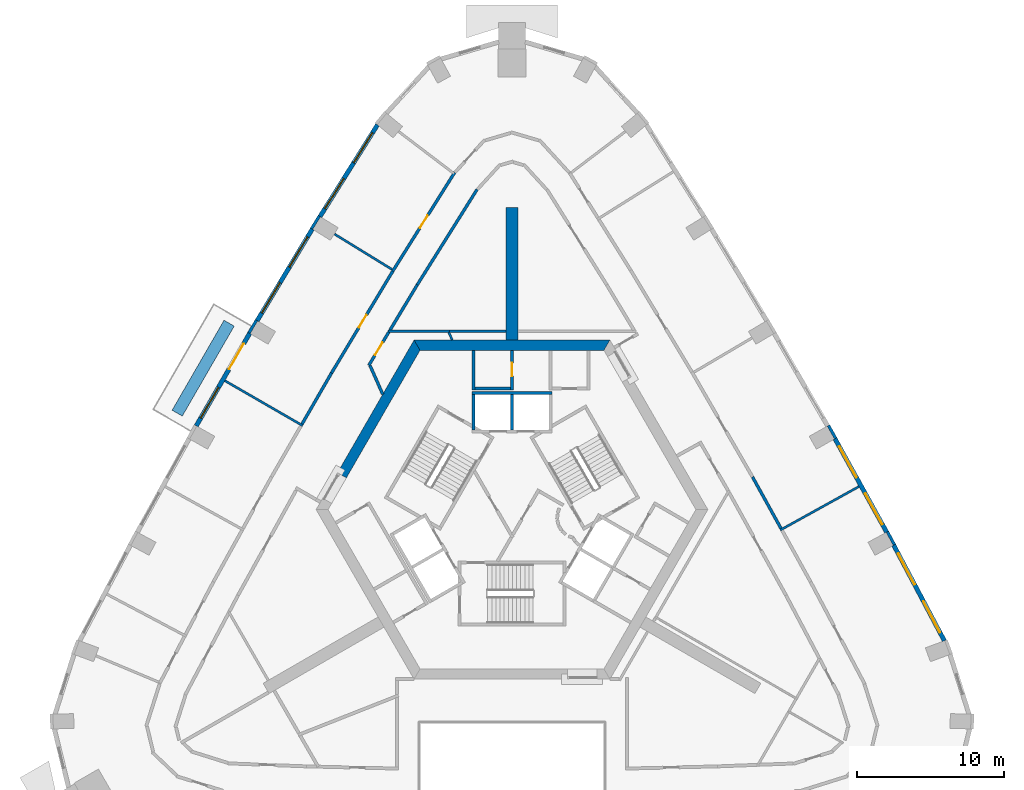
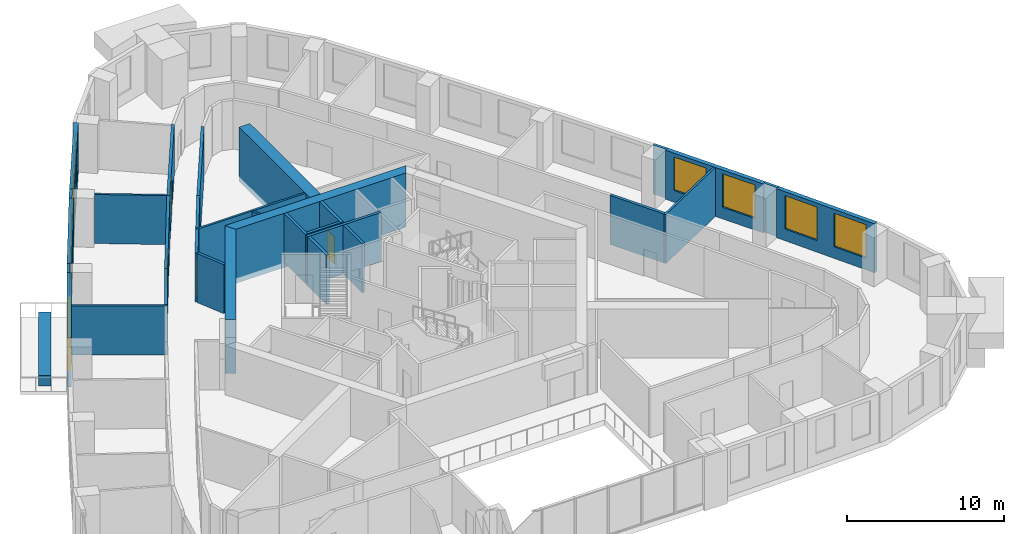
# One storey, part 8 of 13: 33 walls, 9 windows, 5 doors, 14 openings.
"""IFC4 building model written with IfcOpenShell, lengths in metres."""

from ifc_helpers import new_model, si_unit, direction, frame, frame_2d, origin, place, context, subcontext, project, spatial, polyline, rectangle, outline, extrude, material, layer, layer_set, type_object, element, fill, save


model = new_model("IFC4")

# Units and contexts
model_context = context("Model", 3, precision=1e-05, world=origin(), true_north=direction((0.0, 1.0)))
body_context = subcontext(model_context, "Body", "Model", "MODEL_VIEW")
ifc_project = project(units=[si_unit("LENGTHUNIT", "METRE"), si_unit("AREAUNIT", "SQUARE_METRE"), si_unit("VOLUMEUNIT", "CUBIC_METRE"), si_unit("PLANEANGLEUNIT", "RADIAN"), si_unit("MASSUNIT", "GRAM", prefix="KILO")], contexts=[model_context])

# Site, building, storey
site_placement = place(None, origin())
site = spatial("IfcSite", under=ifc_project, at=site_placement, CompositionType="ELEMENT")
building_placement = place(site_placement, origin())
building = spatial("IfcBuilding", under=site, at=building_placement, Name="Entoto Arch Interchange Tower", CompositionType="ELEMENT")
storey_placement = place(building_placement, frame((0.0, 0.0, 223.39990234375)))
storey = spatial("IfcBuildingStorey", under=building, at=storey_placement, Name="L50", CompositionType="ELEMENT", Elevation=223.39990234375)

# Walls
ifc_material_1 = material(Name="Concrete C50/60", Category="concrete")
ifc_layer_1 = layer(ifc_material_1, 0.800048828125)
ifc_layer_set_1 = layer_set([ifc_layer_1], Name="Concrete C50/60")
wall_type_1 = type_object("IfcWallType", Name="Buttress wall 800 C50/60", PredefinedType="SHEAR", material=ifc_layer_set_1)
wall_1_placement = place(storey_placement, frame((0.0, 14.0, -0.39990234375), z_axis=(0.0, 0.0, 1.0), x_axis=(0.0, 1.0, 0.0)))
element("IfcWall", 1, at=wall_1_placement, inside=storey, type_object=wall_type_1, Name="Buttress wall N L50", PredefinedType="SHEAR", context=body_context, shape_type="SweptSolid", body=[
    extrude(rectangle(XDim=9.0, YDim=0.800048828125, at=frame_2d((4.5, 0.0))), origin(), (0.0, 0.0, 1.0), 4.199951171875),
])
ifc_layer_2 = layer(ifc_material_1, 0.699951171875)
ifc_layer_set_2 = layer_set([ifc_layer_2], Name="Concrete C50/60")
wall_type_2 = type_object("IfcWallType", Name="Core wall 700 C50/60", PredefinedType="SHEAR", material=ifc_layer_set_2)
wall_2_placement = place(storey_placement, frame((0.0, 0.0, -0.39990234375)))
element("IfcWall", 2, at=wall_2_placement, inside=storey, type_object=wall_type_2, Name="Core wall N L50", PredefinedType="SHEAR", context=body_context, shape_type="SweptSolid", body=[
    extrude(outline(polyline([(6.639892578125, 14.0), (-6.639892578125, 14.0), (-6.235107421875, 13.300048828125), (6.235107421875, 13.300048828125), (6.639892578125, 14.0)])), origin(), (0.0, 0.0, 1.0), 4.199951171875),
])
wall_3_placement = place(storey_placement, frame((0.0, 0.0, -0.39990234375)))
element("IfcWall", 3, at=wall_3_placement, inside=storey, type_object=wall_type_2, Name="Core wall NW L50", PredefinedType="SHEAR", context=body_context, shape_type="SweptSolid", body=[
    extrude(outline(polyline([(-11.833984375, 5.001953125), (-11.22802734375, 4.652099609375), (-6.235107421875, 13.300048828125), (-6.639892578125, 14.0), (-11.833984375, 5.001953125)])), origin(), (0.0, 0.0, 1.0), 4.199951171875),
])
ifc_material_2 = material(Name="Concrete C40/50", Category="concrete")
ifc_layer_3 = layer(ifc_material_2, 0.199951171875)
ifc_layer_set_3 = layer_set([ifc_layer_3], Name="Concrete C40/50")
wall_type_3 = type_object("IfcWallType", Name="LIFT SHAFT WALL 200", PredefinedType="STANDARD", material=ifc_layer_set_3)
wall_4_placement = place(storey_placement, frame((2.699951171875, 10.39990234375, 0.0), z_axis=(0.0, 0.0, 1.0), x_axis=(-1.0, 0.0, 0.0)))
element("IfcWall", 4, at=wall_4_placement, inside=storey, type_object=wall_type_3, Name="Shaft wall N1 back", PredefinedType="STANDARD", context=body_context, shape_type="SweptSolid", body=[
    extrude(rectangle(XDim=5.39990234375, YDim=0.199951171875, at=frame_2d((2.699951171875, 0.0))), origin(), (0.0, 0.0, 1.0), 3.800048828125),
])
for number, where, z_axis, x_axis, name in (
    (5, (0.0, 7.89990234375, 0.0), (0.0, 0.0, 1.0), (0.0, 1.0, 0.0), "Shaft wall N1 cross 2"),
    (6, (-2.60009765625, 7.89990234375, 0.0), (0.0, 0.0, 1.0), (0.0, 1.0, 0.0), "Shaft wall N1 cross 3"),
):
    element("IfcWall", number, at=place(storey_placement, frame(where, z_axis=z_axis, x_axis=x_axis)), inside=storey, type_object=wall_type_3, Name=name, PredefinedType="STANDARD", context=body_context, shape_type="SweptSolid", body=[
        extrude(rectangle(XDim=2.400146484375, YDim=0.199951171875, at=frame_2d((1.2001953125, 0.0))), origin(), (0.0, 0.0, 1.0), 3.800048828125),
    ])
ifc_material_3 = material(Name="Gypsum board partition on steel studs", Category="steel")
ifc_layer_4 = layer(ifc_material_3, 0.14990234375)
ifc_layer_set_4 = layer_set([ifc_layer_4], Name="Gypsum board partition on steel studs")
wall_type_4 = type_object("IfcWallType", Name="PARTITION 150", PredefinedType="PARTITIONING", material=ifc_layer_set_4)
wall_5_placement = place(storey_placement, frame((-4.054931640625, 14.0, 0.0), z_axis=(0.0, 0.0, 1.0), x_axis=(-0.404850841056, 0.914382740703, 0.0)))
element("IfcWall", 7, at=wall_5_placement, inside=storey, type_object=wall_type_4, Name="wall:L50:p083", PredefinedType="PARTITIONING", context=body_context, shape_type="SweptSolid", body=[
    extrude(rectangle(XDim=0.580810546875, YDim=0.14990234375, at=frame_2d((0.29052734375, 0.0))), origin(), (0.0, 0.0, 1.0), 3.800048828125),
])
wall_6_placement = place(storey_placement, frame((-4.2451171875, 14.60009765625, 0.0), z_axis=(0.0, 0.0, 1.0), x_axis=(-1.0, 0.0, 0.0)))
element("IfcWall", 8, at=wall_6_placement, inside=storey, type_object=wall_type_4, Name="wall:L50:p085", PredefinedType="PARTITIONING", context=body_context, shape_type="SweptSolid", body=[
    extrude(rectangle(XDim=4.169921875, YDim=0.14990234375, at=frame_2d((2.0849609375, 0.0))), origin(), (0.0, 0.0, 1.0), 3.800048828125),
])
wall_7_placement = place(storey_placement, frame((18.18896484375, 1.111083984375, 0.0), z_axis=(0.0, 0.0, 1.0), x_axis=(0.874928335558, 0.484252421405, 0.0)))
element("IfcWall", 9, at=wall_7_placement, inside=storey, type_object=wall_type_4, Name="wall:L50:p119", PredefinedType="PARTITIONING", context=body_context, shape_type="SweptSolid", body=[
    extrude(rectangle(XDim=6.099853515625, YDim=0.14990234375, at=frame_2d((3.0498046875, 0.0))), origin(), (0.0, 0.0, 1.0), 3.800048828125),
])
wall_8_placement = place(storey_placement, frame((-8.131103515625, 18.783935546875, 0.0), z_axis=(0.0, 0.0, 1.0), x_axis=(-0.851969320918, 0.52359170755, 0.0)))
element("IfcWall", 10, at=wall_8_placement, inside=storey, type_object=wall_type_4, Name="wall:L50:p124", PredefinedType="PARTITIONING", context=body_context, shape_type="SweptSolid", body=[
    extrude(rectangle(XDim=4.579833984375, YDim=0.14990234375, at=frame_2d((2.2900390625, 0.0))), origin(), (0.0, 0.0, 1.0), 3.800048828125),
])
wall_9_placement = place(storey_placement, frame((-14.18701171875, 8.18994140625, 0.0), z_axis=(0.0, 0.0, 1.0), x_axis=(-0.865990270311, 0.500060848024, 0.0)))
element("IfcWall", 11, at=wall_9_placement, inside=storey, type_object=wall_type_4, Name="wall:L50:p125", PredefinedType="PARTITIONING", context=body_context, shape_type="SweptSolid", body=[
    extrude(rectangle(XDim=6.099365234375, YDim=0.14990234375, at=frame_2d((3.0498046875, 0.0))), origin(), (0.0, 0.0, 1.0), 3.800048828125),
])
wall_10_placement = place(storey_placement, frame((-0.39990234375, 14.60009765625, 0.0), z_axis=(0.0, 0.0, 1.0), x_axis=(-1.0, 0.0, 0.0)))
element("IfcWall", 12, at=wall_10_placement, inside=storey, type_object=wall_type_4, Name="wall:L50:p084", PredefinedType="PARTITIONING", context=body_context, shape_type="SweptSolid", body=[
    extrude(rectangle(XDim=3.84521484375, YDim=0.14990234375, at=frame_2d((1.922607421875, 0.0))), origin(), (0.0, 0.0, 1.0), 3.800048828125),
])

# Wall, opening, door
ifc_layer_5 = layer(ifc_material_3, 0.199951171875)
ifc_layer_set_5 = layer_set([ifc_layer_5], Name="Gypsum board partition on steel studs")
wall_type_5 = type_object("IfcWallType", Name="PARTITION 200", PredefinedType="PARTITIONING", material=ifc_layer_set_5)
wall_11_placement = place(storey_placement, frame((-8.35302734375, 14.535888671875, 0.0), z_axis=(0.0, 0.0, 1.0), x_axis=(-0.515636196259, -0.856807628997, 0.0)))
wall_11 = element("IfcWall", 13, at=wall_11_placement, inside=storey, type_object=wall_type_5, Name="wall:L50:p002", PredefinedType="PARTITIONING", context=body_context, shape_type="SweptSolid", body=[
    extrude(rectangle(XDim=2.643310546875, YDim=0.199951171875, at=frame_2d((1.32177734375, 0.0))), origin(), (0.0, 0.0, 1.0), 3.800048828125),
])
opening_1_placement = place(wall_11_placement, frame((0.822021484375, 0.0, 0.0)))
opening_1 = element("IfcOpeningElement", 14, at=opening_1_placement, cuts=wall_11, Name="Opening L50-D26", PredefinedType="OPENING", context=body_context, shape_type="SweptSolid", body=[
    extrude(rectangle(XDim=1.0, YDim=2.10009765625, at=frame_2d((0.5, 1.050048828125))), frame((0.0, 0.10986328125, 0.0), z_axis=(0.0, -1.0, 0.0), x_axis=(1.0, 0.0, 0.0)), (0.0, 0.0, 1.0), 0.219970703125),
])
ifc_material_4 = material(Name="Timber door leaf in Steel S235 frame", Category="steel")
door_type_1 = type_object("IfcDoorType", Name="DOOR DS-10 1000x2100", OperationType="SINGLE_SWING_LEFT", PredefinedType="DOOR", material=ifc_material_4)
door_1_placement = place(opening_1_placement, origin())
door_1 = element("IfcDoor", 15, at=door_1_placement, inside=storey, type_object=door_type_1, Name="door:L50:26", OperationType="SINGLE_SWING_LEFT", OverallHeight=2.10009765625, OverallWidth=1.0, PredefinedType="DOOR", context=body_context, shape_type="SweptSolid", body=[
    extrude(rectangle(XDim=1.0, YDim=2.10009765625, at=frame_2d((0.5, 1.050048828125))), frame((0.0, 0.02490234375, 0.0), z_axis=(0.0, -1.0, 0.0), x_axis=(1.0, 0.0, 0.0)), (0.0, 0.0, 1.0), 0.050048828125),
])
fill(opening_1, door_1)

# Walls
wall_12_placement = place(storey_placement, frame((-9.6240234375, 12.264892578125, 0.0), z_axis=(0.0, 0.0, 1.0), x_axis=(0.404081180606, -0.914723127225, 0.0)))
element("IfcWall", 16, at=wall_12_placement, inside=storey, type_object=wall_type_5, Name="wall:L50:p003", PredefinedType="PARTITIONING", context=body_context, shape_type="SweptSolid", body=[
    extrude(rectangle(XDim=2.126220703125, YDim=0.199951171875, at=frame_2d((1.06298828125, 0.0))), origin(), (0.0, 0.0, 1.0), 3.800048828125),
])
wall_13_placement = place(storey_placement, frame((-2.364013671875, 24.216064453125, 0.0), z_axis=(0.0, 0.0, 1.0), x_axis=(-0.531335643981, -0.847161397512, 0.0)))
element("IfcWall", 17, at=wall_13_placement, inside=storey, type_object=wall_type_5, Name="wall:L50:p012", PredefinedType="PARTITIONING", context=body_context, shape_type="SweptSolid", body=[
    extrude(rectangle(XDim=7.646728515625, YDim=0.199951171875, at=frame_2d((3.8232421875, 0.0))), origin(), (0.0, 0.0, 1.0), 3.800048828125),
])
wall_14_placement = place(storey_placement, frame((-6.427001953125, 17.738037109375, 0.0), z_axis=(0.0, 0.0, 1.0), x_axis=(-0.515416266777, -0.85693994652, 0.0)))
element("IfcWall", 18, at=wall_14_placement, inside=storey, type_object=wall_type_5, Name="wall:L50:p013", PredefinedType="PARTITIONING", context=body_context, shape_type="SweptSolid", body=[
    extrude(rectangle(XDim=3.587158203125, YDim=0.199951171875, at=frame_2d((1.79345703125, 0.0))), origin(), (0.0, 0.0, 1.0), 3.800048828125),
])
wall_15_placement = place(storey_placement, frame((16.305908203125, 4.718017578125, 0.0), z_axis=(0.0, 0.0, 1.0), x_axis=(0.484411997038, -0.874839995156, 0.0)))
element("IfcWall", 19, at=wall_15_placement, inside=storey, type_object=wall_type_5, Name="wall:L50:p044", PredefinedType="PARTITIONING", context=body_context, shape_type="SweptSolid", body=[
    extrude(rectangle(XDim=3.99267578125, YDim=0.199951171875, at=frame_2d((1.996337890625, 0.0))), origin(), (0.0, 0.0, 1.0), 3.800048828125),
])

# Wall, opening, door
wall_16_placement = place(storey_placement, frame((-8.0859375, 18.6689453125, 0.0), z_axis=(0.0, 0.0, 1.0), x_axis=(0.531329962263, 0.847164961033, 0.0)))
wall_16 = element("IfcWall", 20, at=wall_16_placement, inside=storey, type_object=wall_type_5, Name="wall:L50:p052", PredefinedType="PARTITIONING", context=body_context, shape_type="SweptSolid", body=[
    extrude(rectangle(XDim=7.91015625, YDim=0.199951171875, at=frame_2d((3.955078125, 0.0))), origin(), (0.0, 0.0, 1.0), 3.800048828125),
])
opening_2_placement = place(wall_16_placement, frame((3.455078125, 0.0, 0.0)))
opening_2 = element("IfcOpeningElement", 21, at=opening_2_placement, cuts=wall_16, Name="Opening L50-D08", PredefinedType="OPENING", context=body_context, shape_type="SweptSolid", body=[
    extrude(rectangle(XDim=1.0, YDim=2.10009765625, at=frame_2d((0.5, 1.050048828125))), frame((0.0, 0.10986328125, 0.0), z_axis=(0.0, -1.0, 0.0), x_axis=(1.0, 0.0, 0.0)), (0.0, 0.0, 1.0), 0.219970703125),
])
door_2_placement = place(opening_2_placement, origin())
door_2 = element("IfcDoor", 22, at=door_2_placement, inside=storey, type_object=door_type_1, Name="door:L50:08", OperationType="SINGLE_SWING_RIGHT", OverallHeight=2.10009765625, OverallWidth=1.0, PredefinedType="DOOR", context=body_context, shape_type="SweptSolid", body=[
    extrude(rectangle(XDim=1.0, YDim=2.10009765625, at=frame_2d((0.5, 1.050048828125))), frame((0.0, 0.02490234375, 0.0), z_axis=(0.0, -1.0, 0.0), x_axis=(1.0, 0.0, 0.0)), (0.0, 0.0, 1.0), 0.050048828125),
])
fill(opening_2, door_2)

# Wall
wall_17_placement = place(storey_placement, frame((-14.236083984375, 8.304931640625, 0.0), z_axis=(0.0, 0.0, 1.0), x_axis=(0.500110539333, 0.865961574464, 0.0)))
element("IfcWall", 23, at=wall_17_placement, inside=storey, type_object=wall_type_5, Name="wall:L50:p053", PredefinedType="PARTITIONING", context=body_context, shape_type="SweptSolid", body=[
    extrude(rectangle(XDim=3.9931640625, YDim=0.199951171875, at=frame_2d((1.99658203125, 0.0))), origin(), (0.0, 0.0, 1.0), 3.800048828125),
])

# Wall, opening, door
wall_18_placement = place(storey_placement, frame((-12.239013671875, 11.762939453125, 0.0), z_axis=(0.0, 0.0, 1.0), x_axis=(0.515591302858, 0.856834644734, 0.0)))
wall_18 = element("IfcWall", 24, at=wall_18_placement, inside=storey, type_object=wall_type_5, Name="wall:L50:p054", PredefinedType="PARTITIONING", context=body_context, shape_type="SweptSolid", body=[
    extrude(rectangle(XDim=8.058837890625, YDim=0.199951171875, at=frame_2d((4.029296875, 0.0))), origin(), (0.0, 0.0, 1.0), 3.800048828125),
])
opening_3_placement = place(wall_18_placement, frame((3.60400390625, 0.0, 0.0)))
opening_3 = element("IfcOpeningElement", 25, at=opening_3_placement, cuts=wall_18, Name="Opening L50-D09", PredefinedType="OPENING", context=body_context, shape_type="SweptSolid", body=[
    extrude(rectangle(XDim=1.0, YDim=2.10009765625, at=frame_2d((0.5, 1.050048828125))), frame((0.0, 0.10986328125, 0.0), z_axis=(0.0, -1.0, 0.0), x_axis=(1.0, 0.0, 0.0)), (0.0, 0.0, 1.0), 0.219970703125),
])
door_3_placement = place(opening_3_placement, origin())
door_3 = element("IfcDoor", 26, at=door_3_placement, inside=storey, type_object=door_type_1, Name="door:L50:09", OperationType="SINGLE_SWING_RIGHT", OverallHeight=2.10009765625, OverallWidth=1.0, PredefinedType="DOOR", context=body_context, shape_type="SweptSolid", body=[
    extrude(rectangle(XDim=1.0, YDim=2.10009765625, at=frame_2d((0.5, 1.050048828125))), frame((0.0, 0.02490234375, 0.0), z_axis=(0.0, -1.0, 0.0), x_axis=(1.0, 0.0, 0.0)), (0.0, 0.0, 1.0), 0.050048828125),
])
fill(opening_3, door_3)

wall_19_placement = place(storey_placement, frame((0.0, 13.300048828125, 0.0), z_axis=(0.0, 0.0, 1.0), x_axis=(0.0, -1.0, 0.0)))
wall_19 = element("IfcWall", 27, at=wall_19_placement, inside=storey, type_object=wall_type_5, Name="wall:L50:p070", PredefinedType="PARTITIONING", context=body_context, shape_type="SweptSolid", body=[
    extrude(rectangle(XDim=2.699951171875, YDim=0.199951171875, at=frame_2d((1.35009765625, 0.0))), origin(), (0.0, 0.0, 1.0), 3.800048828125),
])
opening_4_placement = place(wall_19_placement, frame((0.85009765625, 0.0, 0.0)))
opening_4 = element("IfcOpeningElement", 28, at=opening_4_placement, cuts=wall_19, Name="Opening L50-D31", PredefinedType="OPENING", context=body_context, shape_type="SweptSolid", body=[
    extrude(rectangle(XDim=0.89990234375, YDim=2.10009765625, at=frame_2d((0.449951171875, 1.050048828125))), frame((0.0, 0.10986328125, 0.0), z_axis=(0.0, -1.0, 0.0), x_axis=(1.0, 0.0, 0.0)), (0.0, 0.0, 1.0), 0.219970703125),
])
door_type_2 = type_object("IfcDoorType", Name="DOOR DS-09 900x2100", OperationType="SINGLE_SWING_LEFT", PredefinedType="DOOR", material=ifc_material_4)
door_4_placement = place(opening_4_placement, origin())
door_4 = element("IfcDoor", 29, at=door_4_placement, inside=storey, type_object=door_type_2, Name="door:L50:31", OperationType="SINGLE_SWING_RIGHT", OverallHeight=2.10009765625, OverallWidth=0.89990234375, PredefinedType="DOOR", context=body_context, shape_type="SweptSolid", body=[
    extrude(rectangle(XDim=0.89990234375, YDim=2.10009765625, at=frame_2d((0.449951171875, 1.050048828125))), frame((0.0, 0.02490234375, 0.0), z_axis=(0.0, -1.0, 0.0), x_axis=(1.0, 0.0, 0.0)), (0.0, 0.0, 1.0), 0.050048828125),
])
fill(opening_4, door_4)

# Walls
wall_20_placement = place(storey_placement, frame((-0.10009765625, 10.699951171875, 0.0), z_axis=(0.0, 0.0, 1.0), x_axis=(-1.0, 0.0, 0.0)))
element("IfcWall", 30, at=wall_20_placement, inside=storey, type_object=wall_type_5, Name="wall:L50:p071", PredefinedType="PARTITIONING", context=body_context, shape_type="SweptSolid", body=[
    extrude(rectangle(XDim=2.39990234375, YDim=0.199951171875, at=frame_2d((1.199951171875, 0.0))), origin(), (0.0, 0.0, 1.0), 3.800048828125),
])
wall_21_placement = place(storey_placement, frame((-2.60009765625, 10.60009765625, 0.0), z_axis=(0.0, 0.0, 1.0), x_axis=(0.0, 1.0, 0.0)))
element("IfcWall", 31, at=wall_21_placement, inside=storey, type_object=wall_type_5, Name="wall:L50:p072", PredefinedType="PARTITIONING", context=body_context, shape_type="SweptSolid", body=[
    extrude(rectangle(XDim=2.699951171875, YDim=0.199951171875, at=frame_2d((1.35009765625, 0.0))), origin(), (0.0, 0.0, 1.0), 3.800048828125),
])
ifc_material_5 = material(Name="Board-marked precast concrete C50/60", Category="concrete")
ifc_layer_6 = layer(ifc_material_5, 0.800048828125)
ifc_layer_set_6 = layer_set([ifc_layer_6], Name="Board-marked precast concrete C50/60")
wall_type_6 = type_object("IfcWallType", Name="PLANTER RC 800 Juniperus procera", PredefinedType="STANDARD", material=ifc_layer_set_6)
wall_22_placement = place(storey_placement, frame((-19.178955078125, 15.14208984375, 0.0), z_axis=(0.0, 0.0, 1.0), x_axis=(-0.500036321933, -0.866004432291, 0.0)))
element("IfcWall", 32, at=wall_22_placement, inside=storey, type_object=wall_type_6, Name="Planter NW-03 L50", PredefinedType="STANDARD", context=body_context, shape_type="SweptSolid", body=[
    extrude(rectangle(XDim=7.04736328125, YDim=0.800048828125, at=frame_2d((3.523681640625, 0.0))), origin(), (0.0, 0.0, 1.0), 0.800048828125),
])

# Wall, openings, windows
ifc_material_6 = material(Name="Welded tuff (ignimbrite) cladding, warm buff", Category="masonry")
ifc_layer_7 = layer(ifc_material_6, 0.300048828125)
ifc_layer_set_7 = layer_set([ifc_layer_7], Name="Welded tuff (ignimbrite) cladding, warm buff")
wall_type_7 = type_object("IfcWallType", Name="STONE INFILL WALL 300", PredefinedType="STANDARD", material=ifc_layer_set_7)
wall_23_placement = place(storey_placement, frame((29.322021484375, -6.39599609375, 0.0), z_axis=(0.0, 0.0, 1.0), x_axis=(-0.468020680141, 0.8837175131, 0.0)))
wall_23 = element("IfcWall", 33, at=wall_23_placement, inside=storey, type_object=wall_type_7, Name="Facade wall NE-01 L50", PredefinedType="STANDARD", context=body_context, shape_type="SweptSolid", body=[
    extrude(rectangle(XDim=7.339599609375, YDim=0.300048828125, at=frame_2d((3.669921875, 0.0))), origin(), (0.0, 0.0, 1.0), 3.800048828125),
])
opening_5_placement = place(wall_23_placement, frame((0.635009765625, 0.0, 0.89990234375)))
opening_5 = element("IfcOpeningElement", 34, at=opening_5_placement, cuts=wall_23, Name="Opening WO-A", PredefinedType="OPENING", context=body_context, shape_type="SweptSolid", body=[
    extrude(rectangle(XDim=2.39990234375, YDim=2.60009765625, at=frame_2d((1.199951171875, 1.300048828125))), frame((0.0, 0.16015625, 0.0), z_axis=(0.0, -1.0, 0.0), x_axis=(1.0, 0.0, 0.0)), (0.0, 0.0, 1.0), 0.320068359375),
])
opening_6_placement = place(wall_23_placement, frame((4.304931640625, 0.0, 0.89990234375)))
opening_6 = element("IfcOpeningElement", 35, at=opening_6_placement, cuts=wall_23, Name="Opening WO-A", PredefinedType="OPENING", context=body_context, shape_type="SweptSolid", body=[
    extrude(rectangle(XDim=2.39990234375, YDim=2.60009765625, at=frame_2d((1.199951171875, 1.300048828125))), frame((0.0, 0.16015625, 0.0), z_axis=(0.0, -1.0, 0.0), x_axis=(1.0, 0.0, 0.0)), (0.0, 0.0, 1.0), 0.320068359375),
])
ifc_material_7 = material(Name="Clear glass, low-e double glazed", Category="glass")
window_type = type_object("IfcWindowType", Name="WINDOW WO-A 2400x2600", PartitioningType="DOUBLE_PANEL_VERTICAL", PredefinedType="WINDOW", material=ifc_material_7)
window_1_placement = place(opening_5_placement, origin())
window_1 = element("IfcWindow", 36, at=window_1_placement, inside=storey, type_object=window_type, Name="Window WO-A NE-01 L50", OverallHeight=2.60009765625, OverallWidth=2.39990234375, PartitioningType="SINGLE_PANEL", PredefinedType="WINDOW", context=body_context, shape_type="SweptSolid", body=[
    extrude(rectangle(XDim=2.39990234375, YDim=2.60009765625, at=frame_2d((1.199951171875, 1.300048828125))), frame((0.0, 0.030029296875, 0.0), z_axis=(0.0, -1.0, 0.0), x_axis=(1.0, 0.0, 0.0)), (0.0, 0.0, 1.0), 0.06005859375),
])
fill(opening_5, window_1)
window_2_placement = place(opening_6_placement, origin())
window_2 = element("IfcWindow", 37, at=window_2_placement, inside=storey, type_object=window_type, Name="Window WO-A NE-01 L50", OverallHeight=2.60009765625, OverallWidth=2.39990234375, PartitioningType="SINGLE_PANEL", PredefinedType="WINDOW", context=body_context, shape_type="SweptSolid", body=[
    extrude(rectangle(XDim=2.39990234375, YDim=2.60009765625, at=frame_2d((1.199951171875, 1.300048828125))), frame((0.0, 0.030029296875, 0.0), z_axis=(0.0, -1.0, 0.0), x_axis=(1.0, 0.0, 0.0)), (0.0, 0.0, 1.0), 0.06005859375),
])
fill(opening_6, window_2)

wall_24_placement = place(storey_placement, frame((25.410888671875, 0.968017578125, 0.0), z_axis=(0.0, 0.0, 1.0), x_axis=(-0.484163461668, 0.87497756679, 0.0)))
wall_24 = element("IfcWall", 38, at=wall_24_placement, inside=storey, type_object=wall_type_7, Name="Facade wall NE-02 L50", PredefinedType="STANDARD", context=body_context, shape_type="SweptSolid", body=[
    extrude(rectangle(XDim=7.2470703125, YDim=0.300048828125, at=frame_2d((3.62353515625, 0.0))), origin(), (0.0, 0.0, 1.0), 3.800048828125),
])
opening_7_placement = place(wall_24_placement, frame((0.612060546875, 0.0, 0.89990234375)))
opening_7 = element("IfcOpeningElement", 39, at=opening_7_placement, cuts=wall_24, Name="Opening WO-A", PredefinedType="OPENING", context=body_context, shape_type="SweptSolid", body=[
    extrude(rectangle(XDim=2.39990234375, YDim=2.60009765625, at=frame_2d((1.199951171875, 1.300048828125))), frame((0.0, 0.16015625, 0.0), z_axis=(0.0, -1.0, 0.0), x_axis=(1.0, 0.0, 0.0)), (0.0, 0.0, 1.0), 0.320068359375),
])
opening_8_placement = place(wall_24_placement, frame((4.235107421875, 0.0, 0.89990234375)))
opening_8 = element("IfcOpeningElement", 40, at=opening_8_placement, cuts=wall_24, Name="Opening WO-A", PredefinedType="OPENING", context=body_context, shape_type="SweptSolid", body=[
    extrude(rectangle(XDim=2.39990234375, YDim=2.60009765625, at=frame_2d((1.199951171875, 1.300048828125))), frame((0.0, 0.16015625, 0.0), z_axis=(0.0, -1.0, 0.0), x_axis=(1.0, 0.0, 0.0)), (0.0, 0.0, 1.0), 0.320068359375),
])
window_3_placement = place(opening_7_placement, origin())
window_3 = element("IfcWindow", 41, at=window_3_placement, inside=storey, type_object=window_type, Name="Window WO-A NE-02 L50", OverallHeight=2.60009765625, OverallWidth=2.39990234375, PartitioningType="SINGLE_PANEL", PredefinedType="WINDOW", context=body_context, shape_type="SweptSolid", body=[
    extrude(rectangle(XDim=2.39990234375, YDim=2.60009765625, at=frame_2d((1.199951171875, 1.300048828125))), frame((0.0, 0.030029296875, 0.0), z_axis=(0.0, -1.0, 0.0), x_axis=(1.0, 0.0, 0.0)), (0.0, 0.0, 1.0), 0.06005859375),
])
fill(opening_7, window_3)
window_4_placement = place(opening_8_placement, origin())
window_4 = element("IfcWindow", 42, at=window_4_placement, inside=storey, type_object=window_type, Name="Window WO-A NE-02 L50", OverallHeight=2.60009765625, OverallWidth=2.39990234375, PartitioningType="SINGLE_PANEL", PredefinedType="WINDOW", context=body_context, shape_type="SweptSolid", body=[
    extrude(rectangle(XDim=2.39990234375, YDim=2.60009765625, at=frame_2d((1.199951171875, 1.300048828125))), frame((0.0, 0.030029296875, 0.0), z_axis=(0.0, -1.0, 0.0), x_axis=(1.0, 0.0, 0.0)), (0.0, 0.0, 1.0), 0.06005859375),
])
fill(opening_8, window_4)

wall_25_placement = place(storey_placement, frame((-9.1220703125, 28.592041015625, 0.0), z_axis=(0.0, 0.0, 1.0), x_axis=(-0.531239262679, -0.847221839773, 0.0)))
wall_25 = element("IfcWall", 43, at=wall_25_placement, inside=storey, type_object=wall_type_7, Name="Facade wall NW-01 L50", PredefinedType="STANDARD", context=body_context, shape_type="SweptSolid", body=[
    extrude(rectangle(XDim=7.33935546875, YDim=0.300048828125, at=frame_2d((3.669677734375, 0.0))), origin(), (0.0, 0.0, 1.0), 3.800048828125),
])
opening_9_placement = place(wall_25_placement, frame((0.635009765625, 0.0, 0.89990234375)))
opening_9 = element("IfcOpeningElement", 44, at=opening_9_placement, cuts=wall_25, Name="Opening WO-A", PredefinedType="OPENING", context=body_context, shape_type="SweptSolid", body=[
    extrude(rectangle(XDim=2.39990234375, YDim=2.60009765625, at=frame_2d((1.199951171875, 1.300048828125))), frame((0.0, 0.16015625, 0.0), z_axis=(0.0, -1.0, 0.0), x_axis=(1.0, 0.0, 0.0)), (0.0, 0.0, 1.0), 0.320068359375),
])
opening_10_placement = place(wall_25_placement, frame((4.303955078125, 0.0, 0.89990234375)))
opening_10 = element("IfcOpeningElement", 45, at=opening_10_placement, cuts=wall_25, Name="Opening WO-A", PredefinedType="OPENING", context=body_context, shape_type="SweptSolid", body=[
    extrude(rectangle(XDim=2.39990234375, YDim=2.60009765625, at=frame_2d((1.199951171875, 1.300048828125))), frame((0.0, 0.16015625, 0.0), z_axis=(0.0, -1.0, 0.0), x_axis=(1.0, 0.0, 0.0)), (0.0, 0.0, 1.0), 0.320068359375),
])
window_5_placement = place(opening_9_placement, origin())
window_5 = element("IfcWindow", 46, at=window_5_placement, inside=storey, type_object=window_type, Name="Window WO-A NW-01 L50", OverallHeight=2.60009765625, OverallWidth=2.39990234375, PartitioningType="SINGLE_PANEL", PredefinedType="WINDOW", context=body_context, shape_type="SweptSolid", body=[
    extrude(rectangle(XDim=2.39990234375, YDim=2.60009765625, at=frame_2d((1.199951171875, 1.300048828125))), frame((0.0, 0.030029296875, 0.0), z_axis=(0.0, -1.0, 0.0), x_axis=(1.0, 0.0, 0.0)), (0.0, 0.0, 1.0), 0.06005859375),
])
fill(opening_9, window_5)
window_6_placement = place(opening_10_placement, origin())
window_6 = element("IfcWindow", 47, at=window_6_placement, inside=storey, type_object=window_type, Name="Window WO-A NW-01 L50", OverallHeight=2.60009765625, OverallWidth=2.39990234375, PartitioningType="SINGLE_PANEL", PredefinedType="WINDOW", context=body_context, shape_type="SweptSolid", body=[
    extrude(rectangle(XDim=2.39990234375, YDim=2.60009765625, at=frame_2d((1.199951171875, 1.300048828125))), frame((0.0, 0.030029296875, 0.0), z_axis=(0.0, -1.0, 0.0), x_axis=(1.0, 0.0, 0.0)), (0.0, 0.0, 1.0), 0.06005859375),
])
fill(opening_10, window_6)

wall_26_placement = place(storey_placement, frame((-13.5439453125, 21.52392578125, 0.0), z_axis=(0.0, 0.0, 1.0), x_axis=(-0.515560283412, -0.856853309597, 0.0)))
wall_26 = element("IfcWall", 48, at=wall_26_placement, inside=storey, type_object=wall_type_7, Name="Facade wall NW-02 L50", PredefinedType="STANDARD", context=body_context, shape_type="SweptSolid", body=[
    extrude(rectangle(XDim=7.24853515625, YDim=0.300048828125, at=frame_2d((3.624267578125, 0.0))), origin(), (0.0, 0.0, 1.0), 3.800048828125),
])
opening_11_placement = place(wall_26_placement, frame((0.612060546875, 0.0, 0.89990234375)))
opening_11 = element("IfcOpeningElement", 49, at=opening_11_placement, cuts=wall_26, Name="Opening WO-A", PredefinedType="OPENING", context=body_context, shape_type="SweptSolid", body=[
    extrude(rectangle(XDim=2.39990234375, YDim=2.60009765625, at=frame_2d((1.199951171875, 1.300048828125))), frame((0.0, 0.16015625, 0.0), z_axis=(0.0, -1.0, 0.0), x_axis=(1.0, 0.0, 0.0)), (0.0, 0.0, 1.0), 0.320068359375),
])
opening_12_placement = place(wall_26_placement, frame((4.236083984375, 0.0, 0.89990234375)))
opening_12 = element("IfcOpeningElement", 50, at=opening_12_placement, cuts=wall_26, Name="Opening WO-A", PredefinedType="OPENING", context=body_context, shape_type="SweptSolid", body=[
    extrude(rectangle(XDim=2.39990234375, YDim=2.60009765625, at=frame_2d((1.199951171875, 1.300048828125))), frame((0.0, 0.16015625, 0.0), z_axis=(0.0, -1.0, 0.0), x_axis=(1.0, 0.0, 0.0)), (0.0, 0.0, 1.0), 0.320068359375),
])
window_7_placement = place(opening_11_placement, origin())
window_7 = element("IfcWindow", 51, at=window_7_placement, inside=storey, type_object=window_type, Name="Window WO-A NW-02 L50", OverallHeight=2.60009765625, OverallWidth=2.39990234375, PartitioningType="SINGLE_PANEL", PredefinedType="WINDOW", context=body_context, shape_type="SweptSolid", body=[
    extrude(rectangle(XDim=2.39990234375, YDim=2.60009765625, at=frame_2d((1.199951171875, 1.300048828125))), frame((0.0, 0.030029296875, 0.0), z_axis=(0.0, -1.0, 0.0), x_axis=(1.0, 0.0, 0.0)), (0.0, 0.0, 1.0), 0.06005859375),
])
fill(opening_11, window_7)
window_8_placement = place(opening_12_placement, origin())
window_8 = element("IfcWindow", 52, at=window_8_placement, inside=storey, type_object=window_type, Name="Window WO-A NW-02 L50", OverallHeight=2.60009765625, OverallWidth=2.39990234375, PartitioningType="SINGLE_PANEL", PredefinedType="WINDOW", context=body_context, shape_type="SweptSolid", body=[
    extrude(rectangle(XDim=2.39990234375, YDim=2.60009765625, at=frame_2d((1.199951171875, 1.300048828125))), frame((0.0, 0.030029296875, 0.0), z_axis=(0.0, -1.0, 0.0), x_axis=(1.0, 0.0, 0.0)), (0.0, 0.0, 1.0), 0.06005859375),
])
fill(opening_12, window_8)

# Wall, openings, door, window
wall_27_placement = place(storey_placement, frame((-17.787109375, 14.4541015625, 0.0), z_axis=(0.0, 0.0, 1.0), x_axis=(-0.499968351115, -0.866043675505, 0.0)))
wall_27 = element("IfcWall", 53, at=wall_27_placement, inside=storey, type_object=wall_type_7, Name="Facade wall NW-03 L50", PredefinedType="STANDARD", context=body_context, shape_type="SweptSolid", body=[
    extrude(rectangle(XDim=7.248046875, YDim=0.300048828125, at=frame_2d((3.6240234375, 0.0))), origin(), (0.0, 0.0, 1.0), 3.800048828125),
])
opening_13_placement = place(wall_27_placement, frame((0.81201171875, 0.0, 0.0)))
opening_13 = element("IfcOpeningElement", 54, at=opening_13_placement, cuts=wall_27, Name="Opening DB-NW-03-L50", PredefinedType="OPENING", context=body_context, shape_type="SweptSolid", body=[
    extrude(rectangle(XDim=2.0, YDim=2.39990234375, at=frame_2d((1.0, 1.199951171875))), frame((0.0, 0.16015625, 0.0), z_axis=(0.0, -1.0, 0.0), x_axis=(1.0, 0.0, 0.0)), (0.0, 0.0, 1.0), 0.320068359375),
])
opening_14_placement = place(wall_27_placement, frame((4.236083984375, 0.0, 0.89990234375)))
opening_14 = element("IfcOpeningElement", 55, at=opening_14_placement, cuts=wall_27, Name="Opening WO-A", PredefinedType="OPENING", context=body_context, shape_type="SweptSolid", body=[
    extrude(rectangle(XDim=2.39990234375, YDim=2.60009765625, at=frame_2d((1.199951171875, 1.300048828125))), frame((0.0, 0.16015625, 0.0), z_axis=(0.0, -1.0, 0.0), x_axis=(1.0, 0.0, 0.0)), (0.0, 0.0, 1.0), 0.320068359375),
])
ifc_material_8 = material(Name="Aluminium and clear glass, anodised", Category="aluminium")
door_type_3 = type_object("IfcDoorType", Name="BALCONY DOOR DB 2000x2400", OperationType="SLIDING_TO_LEFT", PredefinedType="DOOR", material=ifc_material_8)
door_5_placement = place(opening_13_placement, origin())
door_5 = element("IfcDoor", 56, at=door_5_placement, inside=storey, type_object=door_type_3, Name="Balcony door NW-03 L50", OperationType="SLIDING_TO_LEFT", OverallHeight=2.39990234375, OverallWidth=2.0, PredefinedType="DOOR", context=body_context, shape_type="SweptSolid", body=[
    extrude(rectangle(XDim=2.0, YDim=2.39990234375, at=frame_2d((1.0, 1.199951171875))), frame((0.0, 0.02490234375, 0.0), z_axis=(0.0, -1.0, 0.0), x_axis=(1.0, 0.0, 0.0)), (0.0, 0.0, 1.0), 0.050048828125),
])
fill(opening_13, door_5)
window_9_placement = place(opening_14_placement, origin())
window_9 = element("IfcWindow", 57, at=window_9_placement, inside=storey, type_object=window_type, Name="Window WO-A NW-03 L50", OverallHeight=2.60009765625, OverallWidth=2.39990234375, PartitioningType="SINGLE_PANEL", PredefinedType="WINDOW", context=body_context, shape_type="SweptSolid", body=[
    extrude(rectangle(XDim=2.39990234375, YDim=2.60009765625, at=frame_2d((1.199951171875, 1.300048828125))), frame((0.0, 0.030029296875, 0.0), z_axis=(0.0, -1.0, 0.0), x_axis=(1.0, 0.0, 0.0)), (0.0, 0.0, 1.0), 0.06005859375),
])
fill(opening_14, window_9)

# Walls
ifc_layer_8 = layer(ifc_material_6, 0.199951171875)
ifc_layer_set_8 = layer_set([ifc_layer_8], Name="Welded tuff (ignimbrite) cladding, warm buff")
wall_type_8 = type_object("IfcWallType", Name="STONE PIER CLADDING 200", PredefinedType="STANDARD", material=ifc_layer_set_8)
for number, where, z_axis, x_axis, name in (
    (58, (25.93408203125, 0.114013671875, 0.0), (0.0, 0.0, 1.0), (-0.473852444207, 0.880604259085, 0.0), "Stone pier NE02 L50"),
    (59, (21.949951171875, 7.333984375, 0.0), (0.0, 0.0, 1.0), (-0.491743606947, 0.87074004446, 0.0), "Stone pier NE03 L50"),
    (60, (-13.06591796875, 22.403076171875, 0.0), (0.0, 0.0, 1.0), (-0.525825307325, -0.850592585306, 0.0), "Stone pier NW02 L50"),
):
    element("IfcWall", number, at=place(storey_placement, frame(where, z_axis=z_axis, x_axis=x_axis)), inside=storey, type_object=wall_type_8, Name=name, PredefinedType="STANDARD", context=body_context, shape_type="SweptSolid", body=[
        extrude(rectangle(XDim=1.00048828125, YDim=0.199951171875, at=frame_2d((0.500244140625, 0.0))), origin(), (0.0, 0.0, 1.0), 3.800048828125),
    ])
wall_28_placement = place(storey_placement, frame((-17.326904296875, 15.342041015625, 0.0), z_axis=(0.0, 0.0, 1.0), x_axis=(-0.508161541526, -0.861261776531, 0.0)))
element("IfcWall", 61, at=wall_28_placement, inside=storey, type_object=wall_type_8, Name="Stone pier NW03 L50", PredefinedType="STANDARD", context=body_context, shape_type="SweptSolid", body=[
    extrude(rectangle(XDim=0.999755859375, YDim=0.199951171875, at=frame_2d((0.5, 0.0))), origin(), (0.0, 0.0, 1.0), 3.800048828125),
])

save(model, "model.ifc")
